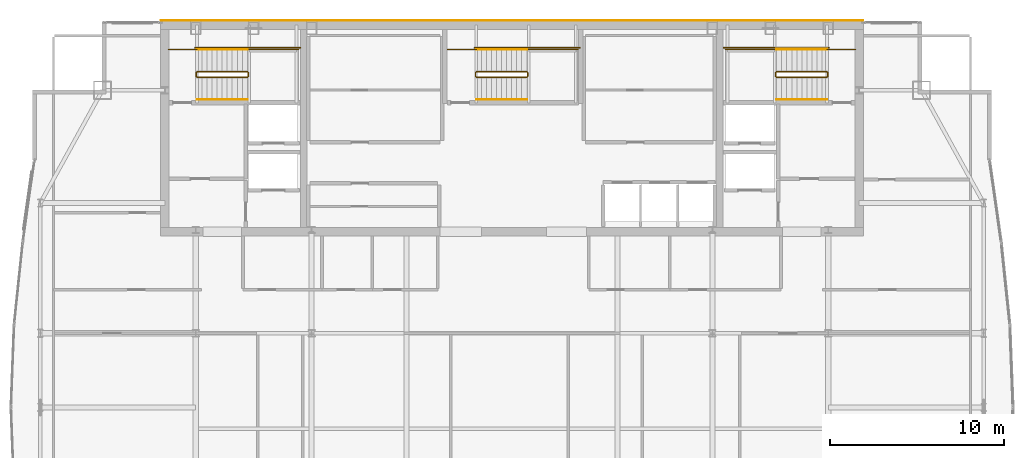
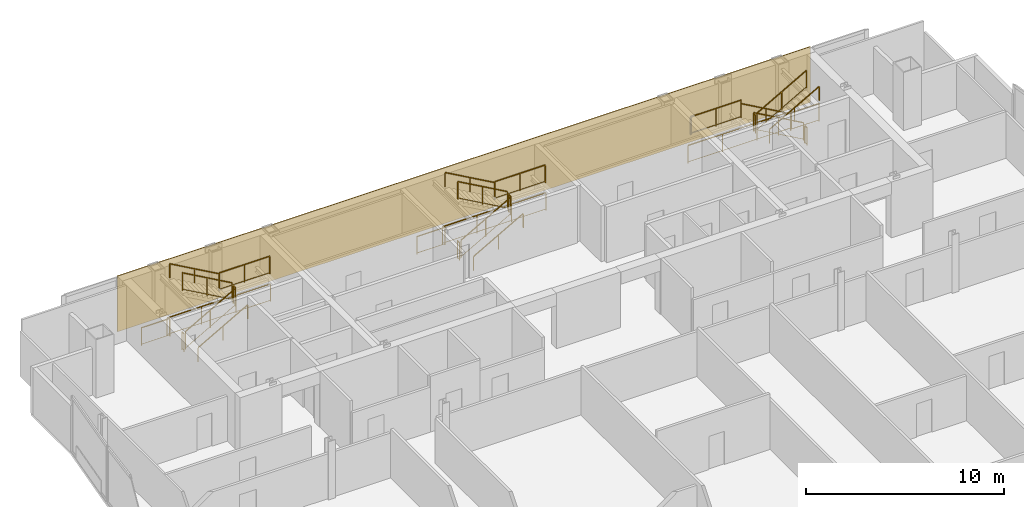
# One storey, part 30 of 30: 27 railings, 1 covering.
"""IFC4 building model written with IfcOpenShell, lengths in metres."""

from ifc_helpers import new_model, si_unit, direction, frame, origin, origin_2d, place, context, subcontext, project, spatial, polyline, rectangle, outline, extrude, material, layer, layer_set, type_object, element, save


model = new_model("IFC4")

# Units and contexts
model_context = context("Model", 3, precision=1e-05, world=origin(), true_north=direction((0.0, 1.0)))
body_context = subcontext(model_context, "Body", "Model", "MODEL_VIEW")
ifc_project = project(units=[si_unit("LENGTHUNIT", "METRE"), si_unit("AREAUNIT", "SQUARE_METRE"), si_unit("VOLUMEUNIT", "CUBIC_METRE"), si_unit("PLANEANGLEUNIT", "RADIAN"), si_unit("MASSUNIT", "GRAM", prefix="KILO")], contexts=[model_context])

# Site, building, storey
site_placement = place(None, origin())
site = spatial("IfcSite", under=ifc_project, at=site_placement, CompositionType="ELEMENT")
building_placement = place(site_placement, origin())
building = spatial("IfcBuilding", under=site, at=building_placement, Name="Khoronbel Lancet Exchange", CompositionType="ELEMENT")
storey_placement = place(building_placement, frame((0.0, 0.0, 280.60009765625)))
storey = spatial("IfcBuildingStorey", under=building, at=storey_placement, Name="L72", CompositionType="ELEMENT", Elevation=280.60009765625)

# Covering
ifc_material_1 = material(Name="Honed Egyptian Limestone & Bronze Rainscreen", Category="masonry")
ifc_layer = layer(ifc_material_1, 0.050048828125, Name="Honed Egyptian Limestone & Bronze Rainscreen")
ifc_layer_set = layer_set([ifc_layer], Name="Honed Egyptian Limestone & Bronze Rainscreen")
covering_type = type_object("IfcCoveringType", Name="COV-CLAD1", PredefinedType="CLADDING", material=ifc_layer_set)
covering_placement = place(storey_placement, origin())
element("IfcCovering", 1, at=covering_placement, inside=storey, type_object=covering_type, Name="Level L72 north rear-core stone and bronze rainscreen cladding", PredefinedType="CLADDING", context=body_context, shape_type="SweptSolid", body=[
    extrude(outline(polyline([(16.199951171875, 53.699951171875), (56.699951171875, 53.699951171875), (56.699951171875, 53.75), (16.199951171875, 53.75), (16.199951171875, 53.699951171875)])), origin(), (0.0, 0.0, 1.0), 3.43994140625),
])

# Railings
ifc_material_2 = material(Name="Painted Steel Balustrade", Category="steel")
railing_type_1 = type_object("IfcRailingType", Name="RL-STG110", PredefinedType="GUARDRAIL", material=ifc_material_2)
railing_1_placement = place(storey_placement, frame((18.300048828125, 50.449951171875, 0.16357421875)))
element("IfcRailing", 2, at=railing_1_placement, inside=storey, type_object=railing_type_1, Name="L72 ST1 stair guard 1", PredefinedType="GUARDRAIL", context=body_context, shape_type="SweptSolid", body=[
    extrude(rectangle(XDim=0.048095703125, YDim=0.048095703125, at=origin_2d()), frame((0.0, 0.0, 1.09619140625), z_axis=(0.870928581787, 0.0, 0.491409610636), x_axis=(0.0, 1.0, 0.0)), (0.0, 0.0, 1.0), 3.32958984375),
    extrude(rectangle(XDim=0.02392578125, YDim=0.02392578125, at=origin_2d()), frame((0.0, 0.0, 0.080078125), z_axis=(0.870928581787, 0.0, 0.491409610636), x_axis=(0.0, 1.0, 0.0)), (0.0, 0.0, 1.0), 3.32958984375),
    extrude(rectangle(XDim=0.0419921875, YDim=0.0419921875, at=origin_2d()), origin(), (0.0, 0.0, 1.0), 1.072021484375),
    extrude(rectangle(XDim=0.0419921875, YDim=0.0419921875, at=origin_2d()), frame((1.449951171875, 0.0, 0.818115234375)), (0.0, 0.0, 1.0), 1.072021484375),
    extrude(rectangle(XDim=0.0419921875, YDim=0.0419921875, at=origin_2d()), frame((2.89990234375, 0.0, 1.63623046875)), (0.0, 0.0, 1.0), 1.072021484375),
])
railing_2_placement = place(storey_placement, frame((21.25, 50.5, 1.7998046875)))
element("IfcRailing", 3, at=railing_2_placement, inside=storey, type_object=railing_type_1, Name="L72 ST1 stair guard 2", PredefinedType="GUARDRAIL", context=body_context, shape_type="SweptSolid", body=[
    extrude(rectangle(XDim=0.048095703125, YDim=0.048095703125, at=origin_2d()), frame((0.0, 0.0, 1.09619140625), z_axis=(0.0, 1.0, 0.0), x_axis=(-1.0, 0.0, 0.0)), (0.0, 0.0, 1.0), 0.219970703125),
    extrude(rectangle(XDim=0.02392578125, YDim=0.02392578125, at=origin_2d()), frame((0.0, 0.0, 0.080078125), z_axis=(0.0, 1.0, 0.0), x_axis=(-1.0, 0.0, 0.0)), (0.0, 0.0, 1.0), 0.219970703125),
    extrude(rectangle(XDim=0.0419921875, YDim=0.0419921875, at=origin_2d()), origin(), (0.0, 0.0, 1.0), 1.072021484375),
    extrude(rectangle(XDim=0.0419921875, YDim=0.0419921875, at=origin_2d()), frame((0.0, 0.219970703125, 0.0)), (0.0, 0.0, 1.0), 1.072021484375),
])
railing_3_placement = place(storey_placement, frame((21.199951171875, 52.050048828125, 1.7998046875)))
element("IfcRailing", 4, at=railing_3_placement, inside=storey, type_object=railing_type_1, Name="L72 ST1 stair guard 3", PredefinedType="GUARDRAIL", context=body_context, shape_type="SweptSolid", body=[
    extrude(rectangle(XDim=0.048095703125, YDim=0.048095703125, at=origin_2d()), frame((0.0, 0.0, 1.09619140625), z_axis=(1.0, 0.0, 0.0), x_axis=(0.0, 1.0, 0.0)), (0.0, 0.0, 1.0), 2.949951171875),
    extrude(rectangle(XDim=0.02392578125, YDim=0.02392578125, at=origin_2d()), frame((0.0, 0.0, 0.080078125), z_axis=(1.0, 0.0, 0.0), x_axis=(0.0, 1.0, 0.0)), (0.0, 0.0, 1.0), 2.949951171875),
    extrude(rectangle(XDim=0.0419921875, YDim=0.0419921875, at=origin_2d()), origin(), (0.0, 0.0, 1.0), 1.072021484375),
    extrude(rectangle(XDim=0.0419921875, YDim=0.0419921875, at=origin_2d()), frame((1.47509765625, 0.0, 0.0)), (0.0, 0.0, 1.0), 1.072021484375),
    extrude(rectangle(XDim=0.0419921875, YDim=0.0419921875, at=origin_2d()), frame((2.949951171875, 0.0, 0.0)), (0.0, 0.0, 1.0), 1.072021484375),
])
railing_4_placement = place(storey_placement, frame((21.199951171875, 50.77001953125, 1.963623046875)))
element("IfcRailing", 5, at=railing_4_placement, inside=storey, type_object=railing_type_1, Name="L72 ST1 stair guard 4", PredefinedType="GUARDRAIL", context=body_context, shape_type="SweptSolid", body=[
    extrude(rectangle(XDim=0.048095703125, YDim=0.048095703125, at=origin_2d()), frame((0.0, 0.0, 1.09619140625), z_axis=(-0.870928581787, 0.0, 0.491409610636), x_axis=(0.0, -1.0, 0.0)), (0.0, 0.0, 1.0), 3.32958984375),
    extrude(rectangle(XDim=0.02392578125, YDim=0.02392578125, at=origin_2d()), frame((0.0, 0.0, 0.080078125), z_axis=(-0.870928581787, 0.0, 0.491409610636), x_axis=(0.0, -1.0, 0.0)), (0.0, 0.0, 1.0), 3.32958984375),
    extrude(rectangle(XDim=0.0419921875, YDim=0.0419921875, at=origin_2d()), origin(), (0.0, 0.0, 1.0), 1.072021484375),
    extrude(rectangle(XDim=0.0419921875, YDim=0.0419921875, at=origin_2d()), frame((-1.449951171875, 0.0, 0.818115234375)), (0.0, 0.0, 1.0), 1.072021484375),
    extrude(rectangle(XDim=0.0419921875, YDim=0.0419921875, at=origin_2d()), frame((-2.89990234375, 0.0, 1.63623046875)), (0.0, 0.0, 1.0), 1.072021484375),
])
railing_5_placement = place(storey_placement, frame((18.25, 50.5, 0.0)))
element("IfcRailing", 6, at=railing_5_placement, inside=storey, type_object=railing_type_1, Name="L72 ST1 stair guard 5", PredefinedType="GUARDRAIL", context=body_context, shape_type="SweptSolid", body=[
    extrude(rectangle(XDim=0.048095703125, YDim=0.048095703125, at=origin_2d()), frame((0.0, 0.0, 1.09619140625), z_axis=(0.0, 1.0, 0.0), x_axis=(-1.0, 0.0, 0.0)), (0.0, 0.0, 1.0), 0.219970703125),
    extrude(rectangle(XDim=0.02392578125, YDim=0.02392578125, at=origin_2d()), frame((0.0, 0.0, 0.080078125), z_axis=(0.0, 1.0, 0.0), x_axis=(-1.0, 0.0, 0.0)), (0.0, 0.0, 1.0), 0.219970703125),
    extrude(rectangle(XDim=0.0419921875, YDim=0.0419921875, at=origin_2d()), origin(), (0.0, 0.0, 1.0), 1.072021484375),
    extrude(rectangle(XDim=0.0419921875, YDim=0.0419921875, at=origin_2d()), frame((0.0, 0.219970703125, 0.0)), (0.0, 0.0, 1.0), 1.072021484375),
])
railing_6_placement = place(storey_placement, frame((16.64990234375, 52.050048828125, 0.0)))
element("IfcRailing", 7, at=railing_6_placement, inside=storey, type_object=railing_type_1, Name="L72 ST1 stair guard 6", PredefinedType="GUARDRAIL", context=body_context, shape_type="SweptSolid", body=[
    extrude(rectangle(XDim=0.048095703125, YDim=0.048095703125, at=origin_2d()), frame((0.0, 0.0, 1.09619140625), z_axis=(1.0, 0.0, 0.0), x_axis=(0.0, 1.0, 0.0)), (0.0, 0.0, 1.0), 1.650146484375),
    extrude(rectangle(XDim=0.02392578125, YDim=0.02392578125, at=origin_2d()), frame((0.0, 0.0, 0.080078125), z_axis=(1.0, 0.0, 0.0), x_axis=(0.0, 1.0, 0.0)), (0.0, 0.0, 1.0), 1.650146484375),
    extrude(rectangle(XDim=0.0419921875, YDim=0.0419921875, at=origin_2d()), origin(), (0.0, 0.0, 1.0), 1.072021484375),
    extrude(rectangle(XDim=0.0419921875, YDim=0.0419921875, at=origin_2d()), frame((1.650146484375, 0.0, 0.0)), (0.0, 0.0, 1.0), 1.072021484375),
])
railing_7_placement = place(storey_placement, frame((18.199951171875, 52.14990234375, 0.0)))
element("IfcRailing", 8, at=railing_7_placement, inside=storey, type_object=railing_type_1, Name="L72 ST1 stair guard 7", PredefinedType="GUARDRAIL", context=body_context, shape_type="SweptSolid", body=[
    extrude(rectangle(XDim=0.048095703125, YDim=0.048095703125, at=origin_2d()), frame((0.0, 0.0, 1.09619140625), z_axis=(1.0, 0.0, 0.0), x_axis=(0.0, 1.0, 0.0)), (0.0, 0.0, 1.0), 6.050048828125),
    extrude(rectangle(XDim=0.02392578125, YDim=0.02392578125, at=origin_2d()), frame((0.0, 0.0, 0.080078125), z_axis=(1.0, 0.0, 0.0), x_axis=(0.0, 1.0, 0.0)), (0.0, 0.0, 1.0), 6.050048828125),
    extrude(rectangle(XDim=0.0419921875, YDim=0.0419921875, at=origin_2d()), origin(), (0.0, 0.0, 1.0), 1.072021484375),
    extrude(rectangle(XDim=0.0419921875, YDim=0.0419921875, at=origin_2d()), frame((2.0166015625, 0.0, 0.0)), (0.0, 0.0, 1.0), 1.072021484375),
    extrude(rectangle(XDim=0.0419921875, YDim=0.0419921875, at=origin_2d()), frame((4.033447265625, 0.0, 0.0)), (0.0, 0.0, 1.0), 1.072021484375),
    extrude(rectangle(XDim=0.0419921875, YDim=0.0419921875, at=origin_2d()), frame((6.050048828125, 0.0, 0.0)), (0.0, 0.0, 1.0), 1.072021484375),
])
railing_8_placement = place(storey_placement, frame((54.60009765625, 50.77001953125, 0.16357421875)))
element("IfcRailing", 9, at=railing_8_placement, inside=storey, type_object=railing_type_1, Name="L72 ST2 stair guard 1", PredefinedType="GUARDRAIL", context=body_context, shape_type="SweptSolid", body=[
    extrude(rectangle(XDim=0.048095703125, YDim=0.048095703125, at=origin_2d()), frame((0.0, 0.0, 1.09619140625), z_axis=(-0.870946286338, 0.0, 0.49137823142), x_axis=(0.0, -1.0, 0.0)), (0.0, 0.0, 1.0), 3.329833984375),
    extrude(rectangle(XDim=0.02392578125, YDim=0.02392578125, at=origin_2d()), frame((0.0, 0.0, 0.080078125), z_axis=(-0.870946286338, 0.0, 0.49137823142), x_axis=(0.0, -1.0, 0.0)), (0.0, 0.0, 1.0), 3.329833984375),
    extrude(rectangle(XDim=0.0419921875, YDim=0.0419921875, at=origin_2d()), origin(), (0.0, 0.0, 1.0), 1.072021484375),
    extrude(rectangle(XDim=0.0419921875, YDim=0.0419921875, at=origin_2d()), frame((-1.4501953125, 0.0, 0.818115234375)), (0.0, 0.0, 1.0), 1.072021484375),
    extrude(rectangle(XDim=0.0419921875, YDim=0.0419921875, at=origin_2d()), frame((-2.900146484375, 0.0, 1.63623046875)), (0.0, 0.0, 1.0), 1.072021484375),
])
railing_9_placement = place(storey_placement, frame((51.64990234375, 50.719970703125, 1.7998046875)))
element("IfcRailing", 10, at=railing_9_placement, inside=storey, type_object=railing_type_1, Name="L72 ST2 stair guard 2", PredefinedType="GUARDRAIL", context=body_context, shape_type="SweptSolid", body=[
    extrude(rectangle(XDim=0.048095703125, YDim=0.048095703125, at=origin_2d()), frame((0.0, 0.0, 1.09619140625), z_axis=(0.0, -1.0, 0.0), x_axis=(1.0, 0.0, 0.0)), (0.0, 0.0, 1.0), 0.219970703125),
    extrude(rectangle(XDim=0.02392578125, YDim=0.02392578125, at=origin_2d()), frame((0.0, 0.0, 0.080078125), z_axis=(0.0, -1.0, 0.0), x_axis=(1.0, 0.0, 0.0)), (0.0, 0.0, 1.0), 0.219970703125),
    extrude(rectangle(XDim=0.0419921875, YDim=0.0419921875, at=origin_2d()), origin(), (0.0, 0.0, 1.0), 1.072021484375),
    extrude(rectangle(XDim=0.0419921875, YDim=0.0419921875, at=origin_2d()), frame((0.0, -0.219970703125, 0.0)), (0.0, 0.0, 1.0), 1.072021484375),
])
railing_10_placement = place(storey_placement, frame((51.699951171875, 52.050048828125, 1.7998046875)))
element("IfcRailing", 11, at=railing_10_placement, inside=storey, type_object=railing_type_1, Name="L72 ST2 stair guard 3", PredefinedType="GUARDRAIL", context=body_context, shape_type="SweptSolid", body=[
    extrude(rectangle(XDim=0.048095703125, YDim=0.048095703125, at=origin_2d()), frame((0.0, 0.0, 1.09619140625), z_axis=(-1.0, 0.0, 0.0), x_axis=(0.0, -1.0, 0.0)), (0.0, 0.0, 1.0), 2.949951171875),
    extrude(rectangle(XDim=0.02392578125, YDim=0.02392578125, at=origin_2d()), frame((0.0, 0.0, 0.080078125), z_axis=(-1.0, 0.0, 0.0), x_axis=(0.0, -1.0, 0.0)), (0.0, 0.0, 1.0), 2.949951171875),
    extrude(rectangle(XDim=0.0419921875, YDim=0.0419921875, at=origin_2d()), origin(), (0.0, 0.0, 1.0), 1.072021484375),
    extrude(rectangle(XDim=0.0419921875, YDim=0.0419921875, at=origin_2d()), frame((-1.47509765625, 0.0, 0.0)), (0.0, 0.0, 1.0), 1.072021484375),
    extrude(rectangle(XDim=0.0419921875, YDim=0.0419921875, at=origin_2d()), frame((-2.949951171875, 0.0, 0.0)), (0.0, 0.0, 1.0), 1.072021484375),
])
railing_11_placement = place(storey_placement, frame((51.699951171875, 50.449951171875, 1.963623046875)))
element("IfcRailing", 12, at=railing_11_placement, inside=storey, type_object=railing_type_1, Name="L72 ST2 stair guard 4", PredefinedType="GUARDRAIL", context=body_context, shape_type="SweptSolid", body=[
    extrude(rectangle(XDim=0.048095703125, YDim=0.048095703125, at=origin_2d()), frame((0.0, 0.0, 1.09619140625), z_axis=(0.870946286338, 0.0, 0.49137823142), x_axis=(0.0, 1.0, 0.0)), (0.0, 0.0, 1.0), 3.329833984375),
    extrude(rectangle(XDim=0.02392578125, YDim=0.02392578125, at=origin_2d()), frame((0.0, 0.0, 0.080078125), z_axis=(0.870946286338, 0.0, 0.49137823142), x_axis=(0.0, 1.0, 0.0)), (0.0, 0.0, 1.0), 3.329833984375),
    extrude(rectangle(XDim=0.0419921875, YDim=0.0419921875, at=origin_2d()), origin(), (0.0, 0.0, 1.0), 1.072021484375),
    extrude(rectangle(XDim=0.0419921875, YDim=0.0419921875, at=origin_2d()), frame((1.4501953125, 0.0, 0.818115234375)), (0.0, 0.0, 1.0), 1.072021484375),
    extrude(rectangle(XDim=0.0419921875, YDim=0.0419921875, at=origin_2d()), frame((2.900146484375, 0.0, 1.63623046875)), (0.0, 0.0, 1.0), 1.072021484375),
])
railing_12_placement = place(storey_placement, frame((54.64990234375, 50.719970703125, 0.0)))
element("IfcRailing", 13, at=railing_12_placement, inside=storey, type_object=railing_type_1, Name="L72 ST2 stair guard 5", PredefinedType="GUARDRAIL", context=body_context, shape_type="SweptSolid", body=[
    extrude(rectangle(XDim=0.048095703125, YDim=0.048095703125, at=origin_2d()), frame((0.0, 0.0, 1.09619140625), z_axis=(0.0, -1.0, 0.0), x_axis=(1.0, 0.0, 0.0)), (0.0, 0.0, 1.0), 0.219970703125),
    extrude(rectangle(XDim=0.02392578125, YDim=0.02392578125, at=origin_2d()), frame((0.0, 0.0, 0.080078125), z_axis=(0.0, -1.0, 0.0), x_axis=(1.0, 0.0, 0.0)), (0.0, 0.0, 1.0), 0.219970703125),
    extrude(rectangle(XDim=0.0419921875, YDim=0.0419921875, at=origin_2d()), origin(), (0.0, 0.0, 1.0), 1.072021484375),
    extrude(rectangle(XDim=0.0419921875, YDim=0.0419921875, at=origin_2d()), frame((0.0, -0.219970703125, 0.0)), (0.0, 0.0, 1.0), 1.072021484375),
])
railing_13_placement = place(storey_placement, frame((56.25, 52.050048828125, 0.0)))
element("IfcRailing", 14, at=railing_13_placement, inside=storey, type_object=railing_type_1, Name="L72 ST2 stair guard 6", PredefinedType="GUARDRAIL", context=body_context, shape_type="SweptSolid", body=[
    extrude(rectangle(XDim=0.048095703125, YDim=0.048095703125, at=origin_2d()), frame((0.0, 0.0, 1.09619140625), z_axis=(-1.0, 0.0, 0.0), x_axis=(0.0, -1.0, 0.0)), (0.0, 0.0, 1.0), 1.64990234375),
    extrude(rectangle(XDim=0.02392578125, YDim=0.02392578125, at=origin_2d()), frame((0.0, 0.0, 0.080078125), z_axis=(-1.0, 0.0, 0.0), x_axis=(0.0, -1.0, 0.0)), (0.0, 0.0, 1.0), 1.64990234375),
    extrude(rectangle(XDim=0.0419921875, YDim=0.0419921875, at=origin_2d()), origin(), (0.0, 0.0, 1.0), 1.072021484375),
    extrude(rectangle(XDim=0.0419921875, YDim=0.0419921875, at=origin_2d()), frame((-1.64990234375, 0.0, 0.0)), (0.0, 0.0, 1.0), 1.072021484375),
])
railing_14_placement = place(storey_placement, frame((54.699951171875, 52.14990234375, 0.0)))
element("IfcRailing", 15, at=railing_14_placement, inside=storey, type_object=railing_type_1, Name="L72 ST2 stair guard 7", PredefinedType="GUARDRAIL", context=body_context, shape_type="SweptSolid", body=[
    extrude(rectangle(XDim=0.048095703125, YDim=0.048095703125, at=origin_2d()), frame((0.0, 0.0, 1.09619140625), z_axis=(-1.0, 0.0, 0.0), x_axis=(0.0, -1.0, 0.0)), (0.0, 0.0, 1.0), 6.050048828125),
    extrude(rectangle(XDim=0.02392578125, YDim=0.02392578125, at=origin_2d()), frame((0.0, 0.0, 0.080078125), z_axis=(-1.0, 0.0, 0.0), x_axis=(0.0, -1.0, 0.0)), (0.0, 0.0, 1.0), 6.050048828125),
    extrude(rectangle(XDim=0.0419921875, YDim=0.0419921875, at=origin_2d()), origin(), (0.0, 0.0, 1.0), 1.072021484375),
    extrude(rectangle(XDim=0.0419921875, YDim=0.0419921875, at=origin_2d()), frame((-2.0166015625, 0.0, 0.0)), (0.0, 0.0, 1.0), 1.072021484375),
    extrude(rectangle(XDim=0.0419921875, YDim=0.0419921875, at=origin_2d()), frame((-4.033447265625, 0.0, 0.0)), (0.0, 0.0, 1.0), 1.072021484375),
    extrude(rectangle(XDim=0.0419921875, YDim=0.0419921875, at=origin_2d()), frame((-6.050048828125, 0.0, 0.0)), (0.0, 0.0, 1.0), 1.072021484375),
])
railing_15_placement = place(storey_placement, frame((34.39990234375, 50.449951171875, 0.16357421875)))
element("IfcRailing", 16, at=railing_15_placement, inside=storey, type_object=railing_type_1, Name="L72 ST3 stair guard 1", PredefinedType="GUARDRAIL", context=body_context, shape_type="SweptSolid", body=[
    extrude(rectangle(XDim=0.048095703125, YDim=0.048095703125, at=origin_2d()), frame((0.0, 0.0, 1.09619140625), z_axis=(0.870946286338, 0.0, 0.49137823142), x_axis=(0.0, 1.0, 0.0)), (0.0, 0.0, 1.0), 3.329833984375),
    extrude(rectangle(XDim=0.02392578125, YDim=0.02392578125, at=origin_2d()), frame((0.0, 0.0, 0.080078125), z_axis=(0.870946286338, 0.0, 0.49137823142), x_axis=(0.0, 1.0, 0.0)), (0.0, 0.0, 1.0), 3.329833984375),
    extrude(rectangle(XDim=0.0419921875, YDim=0.0419921875, at=origin_2d()), origin(), (0.0, 0.0, 1.0), 1.072021484375),
    extrude(rectangle(XDim=0.0419921875, YDim=0.0419921875, at=origin_2d()), frame((1.4501953125, 0.0, 0.818115234375)), (0.0, 0.0, 1.0), 1.072021484375),
    extrude(rectangle(XDim=0.0419921875, YDim=0.0419921875, at=origin_2d()), frame((2.900146484375, 0.0, 1.63623046875)), (0.0, 0.0, 1.0), 1.072021484375),
])
railing_16_placement = place(storey_placement, frame((37.35009765625, 50.5, 1.7998046875)))
element("IfcRailing", 17, at=railing_16_placement, inside=storey, type_object=railing_type_1, Name="L72 ST3 stair guard 2", PredefinedType="GUARDRAIL", context=body_context, shape_type="SweptSolid", body=[
    extrude(rectangle(XDim=0.048095703125, YDim=0.048095703125, at=origin_2d()), frame((0.0, 0.0, 1.09619140625), z_axis=(0.0, 1.0, 0.0), x_axis=(-1.0, 0.0, 0.0)), (0.0, 0.0, 1.0), 0.219970703125),
    extrude(rectangle(XDim=0.02392578125, YDim=0.02392578125, at=origin_2d()), frame((0.0, 0.0, 0.080078125), z_axis=(0.0, 1.0, 0.0), x_axis=(-1.0, 0.0, 0.0)), (0.0, 0.0, 1.0), 0.219970703125),
    extrude(rectangle(XDim=0.0419921875, YDim=0.0419921875, at=origin_2d()), origin(), (0.0, 0.0, 1.0), 1.072021484375),
    extrude(rectangle(XDim=0.0419921875, YDim=0.0419921875, at=origin_2d()), frame((0.0, 0.219970703125, 0.0)), (0.0, 0.0, 1.0), 1.072021484375),
])
railing_17_placement = place(storey_placement, frame((37.300048828125, 52.050048828125, 1.7998046875)))
element("IfcRailing", 18, at=railing_17_placement, inside=storey, type_object=railing_type_1, Name="L72 ST3 stair guard 3", PredefinedType="GUARDRAIL", context=body_context, shape_type="SweptSolid", body=[
    extrude(rectangle(XDim=0.048095703125, YDim=0.048095703125, at=origin_2d()), frame((0.0, 0.0, 1.09619140625), z_axis=(1.0, 0.0, 0.0), x_axis=(0.0, 1.0, 0.0)), (0.0, 0.0, 1.0), 2.949951171875),
    extrude(rectangle(XDim=0.02392578125, YDim=0.02392578125, at=origin_2d()), frame((0.0, 0.0, 0.080078125), z_axis=(1.0, 0.0, 0.0), x_axis=(0.0, 1.0, 0.0)), (0.0, 0.0, 1.0), 2.949951171875),
    extrude(rectangle(XDim=0.0419921875, YDim=0.0419921875, at=origin_2d()), origin(), (0.0, 0.0, 1.0), 1.072021484375),
    extrude(rectangle(XDim=0.0419921875, YDim=0.0419921875, at=origin_2d()), frame((1.47509765625, 0.0, 0.0)), (0.0, 0.0, 1.0), 1.072021484375),
    extrude(rectangle(XDim=0.0419921875, YDim=0.0419921875, at=origin_2d()), frame((2.949951171875, 0.0, 0.0)), (0.0, 0.0, 1.0), 1.072021484375),
])
railing_18_placement = place(storey_placement, frame((37.300048828125, 50.77001953125, 1.963623046875)))
element("IfcRailing", 19, at=railing_18_placement, inside=storey, type_object=railing_type_1, Name="L72 ST3 stair guard 4", PredefinedType="GUARDRAIL", context=body_context, shape_type="SweptSolid", body=[
    extrude(rectangle(XDim=0.048095703125, YDim=0.048095703125, at=origin_2d()), frame((0.0, 0.0, 1.09619140625), z_axis=(-0.870946286338, 0.0, 0.49137823142), x_axis=(0.0, -1.0, 0.0)), (0.0, 0.0, 1.0), 3.329833984375),
    extrude(rectangle(XDim=0.02392578125, YDim=0.02392578125, at=origin_2d()), frame((0.0, 0.0, 0.080078125), z_axis=(-0.870946286338, 0.0, 0.49137823142), x_axis=(0.0, -1.0, 0.0)), (0.0, 0.0, 1.0), 3.329833984375),
    extrude(rectangle(XDim=0.0419921875, YDim=0.0419921875, at=origin_2d()), origin(), (0.0, 0.0, 1.0), 1.072021484375),
    extrude(rectangle(XDim=0.0419921875, YDim=0.0419921875, at=origin_2d()), frame((-1.4501953125, 0.0, 0.818115234375)), (0.0, 0.0, 1.0), 1.072021484375),
    extrude(rectangle(XDim=0.0419921875, YDim=0.0419921875, at=origin_2d()), frame((-2.900146484375, 0.0, 1.63623046875)), (0.0, 0.0, 1.0), 1.072021484375),
])
railing_19_placement = place(storey_placement, frame((34.35009765625, 50.5, 0.0)))
element("IfcRailing", 20, at=railing_19_placement, inside=storey, type_object=railing_type_1, Name="L72 ST3 stair guard 5", PredefinedType="GUARDRAIL", context=body_context, shape_type="SweptSolid", body=[
    extrude(rectangle(XDim=0.048095703125, YDim=0.048095703125, at=origin_2d()), frame((0.0, 0.0, 1.09619140625), z_axis=(0.0, 1.0, 0.0), x_axis=(-1.0, 0.0, 0.0)), (0.0, 0.0, 1.0), 0.219970703125),
    extrude(rectangle(XDim=0.02392578125, YDim=0.02392578125, at=origin_2d()), frame((0.0, 0.0, 0.080078125), z_axis=(0.0, 1.0, 0.0), x_axis=(-1.0, 0.0, 0.0)), (0.0, 0.0, 1.0), 0.219970703125),
    extrude(rectangle(XDim=0.0419921875, YDim=0.0419921875, at=origin_2d()), origin(), (0.0, 0.0, 1.0), 1.072021484375),
    extrude(rectangle(XDim=0.0419921875, YDim=0.0419921875, at=origin_2d()), frame((0.0, 0.219970703125, 0.0)), (0.0, 0.0, 1.0), 1.072021484375),
])
railing_20_placement = place(storey_placement, frame((32.75, 52.050048828125, 0.0)))
element("IfcRailing", 21, at=railing_20_placement, inside=storey, type_object=railing_type_1, Name="L72 ST3 stair guard 6", PredefinedType="GUARDRAIL", context=body_context, shape_type="SweptSolid", body=[
    extrude(rectangle(XDim=0.048095703125, YDim=0.048095703125, at=origin_2d()), frame((0.0, 0.0, 1.09619140625), z_axis=(1.0, 0.0, 0.0), x_axis=(0.0, 1.0, 0.0)), (0.0, 0.0, 1.0), 1.64990234375),
    extrude(rectangle(XDim=0.02392578125, YDim=0.02392578125, at=origin_2d()), frame((0.0, 0.0, 0.080078125), z_axis=(1.0, 0.0, 0.0), x_axis=(0.0, 1.0, 0.0)), (0.0, 0.0, 1.0), 1.64990234375),
    extrude(rectangle(XDim=0.0419921875, YDim=0.0419921875, at=origin_2d()), origin(), (0.0, 0.0, 1.0), 1.072021484375),
    extrude(rectangle(XDim=0.0419921875, YDim=0.0419921875, at=origin_2d()), frame((1.64990234375, 0.0, 0.0)), (0.0, 0.0, 1.0), 1.072021484375),
])
railing_21_placement = place(storey_placement, frame((34.300048828125, 52.14990234375, 0.0)))
element("IfcRailing", 22, at=railing_21_placement, inside=storey, type_object=railing_type_1, Name="L72 ST3 stair guard 7", PredefinedType="GUARDRAIL", context=body_context, shape_type="SweptSolid", body=[
    extrude(rectangle(XDim=0.048095703125, YDim=0.048095703125, at=origin_2d()), frame((0.0, 0.0, 1.09619140625), z_axis=(1.0, 0.0, 0.0), x_axis=(0.0, 1.0, 0.0)), (0.0, 0.0, 1.0), 6.050048828125),
    extrude(rectangle(XDim=0.02392578125, YDim=0.02392578125, at=origin_2d()), frame((0.0, 0.0, 0.080078125), z_axis=(1.0, 0.0, 0.0), x_axis=(0.0, 1.0, 0.0)), (0.0, 0.0, 1.0), 6.050048828125),
    extrude(rectangle(XDim=0.0419921875, YDim=0.0419921875, at=origin_2d()), origin(), (0.0, 0.0, 1.0), 1.072021484375),
    extrude(rectangle(XDim=0.0419921875, YDim=0.0419921875, at=origin_2d()), frame((2.0166015625, 0.0, 0.0)), (0.0, 0.0, 1.0), 1.072021484375),
    extrude(rectangle(XDim=0.0419921875, YDim=0.0419921875, at=origin_2d()), frame((4.033447265625, 0.0, 0.0)), (0.0, 0.0, 1.0), 1.072021484375),
    extrude(rectangle(XDim=0.0419921875, YDim=0.0419921875, at=origin_2d()), frame((6.050048828125, 0.0, 0.0)), (0.0, 0.0, 1.0), 1.072021484375),
])
ifc_material_3 = material(Name="Brushed Stainless Steel 316", Category="steel")
railing_type_2 = type_object("IfcRailingType", Name="RL-STH92", PredefinedType="HANDRAIL", material=ifc_material_3)
railing_22_placement = place(storey_placement, frame((18.300048828125, 49.169921875, 0.16357421875)))
element("IfcRailing", 23, at=railing_22_placement, inside=storey, type_object=railing_type_2, Name="L72 ST1 stair handrail 1", PredefinedType="HANDRAIL", context=body_context, shape_type="SweptSolid", body=[
    extrude(rectangle(XDim=0.048095703125, YDim=0.048095703125, at=origin_2d()), frame((0.0, 0.0, 0.8759765625), z_axis=(0.870928581787, 0.0, 0.491409610636), x_axis=(0.0, 1.0, 0.0)), (0.0, 0.0, 1.0), 3.32958984375),
    extrude(rectangle(XDim=0.0419921875, YDim=0.0419921875, at=origin_2d()), origin(), (0.0, 0.0, 1.0), 0.851806640625),
    extrude(rectangle(XDim=0.0419921875, YDim=0.0419921875, at=origin_2d()), frame((1.449951171875, 0.0, 0.818115234375)), (0.0, 0.0, 1.0), 0.851806640625),
    extrude(rectangle(XDim=0.0419921875, YDim=0.0419921875, at=origin_2d()), frame((2.89990234375, 0.0, 1.63623046875)), (0.0, 0.0, 1.0), 0.851806640625),
])
railing_23_placement = place(storey_placement, frame((21.199951171875, 52.050048828125, 1.963623046875)))
element("IfcRailing", 24, at=railing_23_placement, inside=storey, type_object=railing_type_2, Name="L72 ST1 stair handrail 2", PredefinedType="HANDRAIL", context=body_context, shape_type="SweptSolid", body=[
    extrude(rectangle(XDim=0.048095703125, YDim=0.048095703125, at=origin_2d()), frame((0.0, 0.0, 0.8759765625), z_axis=(-0.870928581787, 0.0, 0.491409610636), x_axis=(0.0, -1.0, 0.0)), (0.0, 0.0, 1.0), 3.32958984375),
    extrude(rectangle(XDim=0.0419921875, YDim=0.0419921875, at=origin_2d()), origin(), (0.0, 0.0, 1.0), 0.851806640625),
    extrude(rectangle(XDim=0.0419921875, YDim=0.0419921875, at=origin_2d()), frame((-1.449951171875, 0.0, 0.818115234375)), (0.0, 0.0, 1.0), 0.851806640625),
    extrude(rectangle(XDim=0.0419921875, YDim=0.0419921875, at=origin_2d()), frame((-2.89990234375, 0.0, 1.63623046875)), (0.0, 0.0, 1.0), 0.851806640625),
])
railing_24_placement = place(storey_placement, frame((54.60009765625, 52.050048828125, 0.16357421875)))
element("IfcRailing", 25, at=railing_24_placement, inside=storey, type_object=railing_type_2, Name="L72 ST2 stair handrail 1", PredefinedType="HANDRAIL", context=body_context, shape_type="SweptSolid", body=[
    extrude(rectangle(XDim=0.048095703125, YDim=0.048095703125, at=origin_2d()), frame((0.0, 0.0, 0.8759765625), z_axis=(-0.870946286338, 0.0, 0.49137823142), x_axis=(0.0, -1.0, 0.0)), (0.0, 0.0, 1.0), 3.329833984375),
    extrude(rectangle(XDim=0.0419921875, YDim=0.0419921875, at=origin_2d()), origin(), (0.0, 0.0, 1.0), 0.851806640625),
    extrude(rectangle(XDim=0.0419921875, YDim=0.0419921875, at=origin_2d()), frame((-1.4501953125, 0.0, 0.818115234375)), (0.0, 0.0, 1.0), 0.851806640625),
    extrude(rectangle(XDim=0.0419921875, YDim=0.0419921875, at=origin_2d()), frame((-2.900146484375, 0.0, 1.63623046875)), (0.0, 0.0, 1.0), 0.851806640625),
])
for number, where, name in (
    (26, (51.699951171875, 49.169921875, 1.963623046875), "L72 ST2 stair handrail 2"),
    (27, (34.39990234375, 49.169921875, 0.16357421875), "L72 ST3 stair handrail 1"),
):
    element("IfcRailing", number, at=place(storey_placement, frame(where)), inside=storey, type_object=railing_type_2, Name=name, PredefinedType="HANDRAIL", context=body_context, shape_type="SweptSolid", body=[
        extrude(rectangle(XDim=0.048095703125, YDim=0.048095703125, at=origin_2d()), frame((0.0, 0.0, 0.8759765625), z_axis=(0.870946286338, 0.0, 0.49137823142), x_axis=(0.0, 1.0, 0.0)), (0.0, 0.0, 1.0), 3.329833984375),
        extrude(rectangle(XDim=0.0419921875, YDim=0.0419921875, at=origin_2d()), origin(), (0.0, 0.0, 1.0), 0.851806640625),
        extrude(rectangle(XDim=0.0419921875, YDim=0.0419921875, at=origin_2d()), frame((1.4501953125, 0.0, 0.818115234375)), (0.0, 0.0, 1.0), 0.851806640625),
        extrude(rectangle(XDim=0.0419921875, YDim=0.0419921875, at=origin_2d()), frame((2.900146484375, 0.0, 1.63623046875)), (0.0, 0.0, 1.0), 0.851806640625),
    ])
railing_25_placement = place(storey_placement, frame((37.300048828125, 52.050048828125, 1.963623046875)))
element("IfcRailing", 28, at=railing_25_placement, inside=storey, type_object=railing_type_2, Name="L72 ST3 stair handrail 2", PredefinedType="HANDRAIL", context=body_context, shape_type="SweptSolid", body=[
    extrude(rectangle(XDim=0.048095703125, YDim=0.048095703125, at=origin_2d()), frame((0.0, 0.0, 0.8759765625), z_axis=(-0.870946286338, 0.0, 0.49137823142), x_axis=(0.0, -1.0, 0.0)), (0.0, 0.0, 1.0), 3.329833984375),
    extrude(rectangle(XDim=0.0419921875, YDim=0.0419921875, at=origin_2d()), origin(), (0.0, 0.0, 1.0), 0.851806640625),
    extrude(rectangle(XDim=0.0419921875, YDim=0.0419921875, at=origin_2d()), frame((-1.4501953125, 0.0, 0.818115234375)), (0.0, 0.0, 1.0), 0.851806640625),
    extrude(rectangle(XDim=0.0419921875, YDim=0.0419921875, at=origin_2d()), frame((-2.900146484375, 0.0, 1.63623046875)), (0.0, 0.0, 1.0), 0.851806640625),
])

save(model, "model.ifc")
